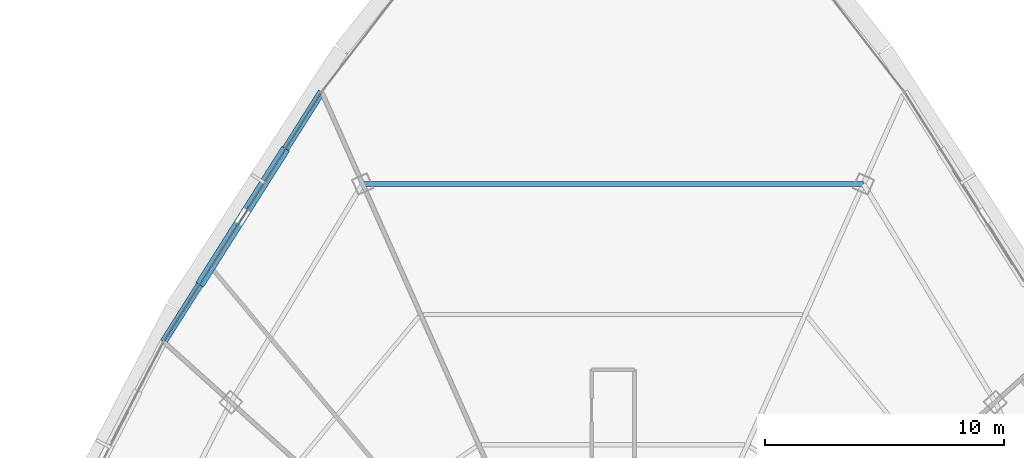
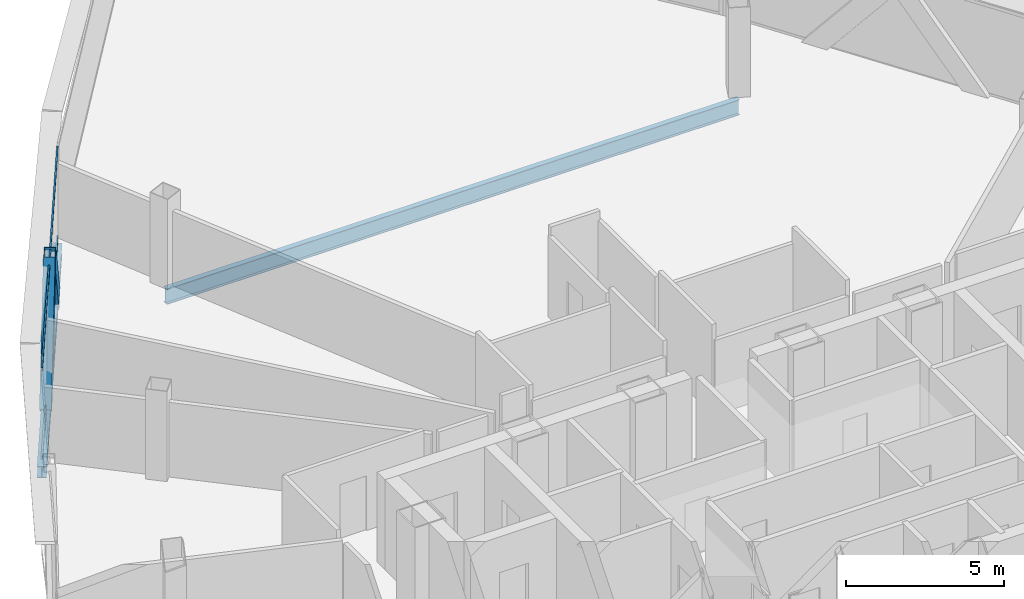
# One storey, part 19 of 33: 4 members, 2 beams, 1 element without a shape of its own.
"""IFC4 building model written with IfcOpenShell, lengths in metres."""

import ifcopenshell
import ifcopenshell.guid

model = None  # the IFC model being written
_history = None  # IfcOwnerHistory: only IFC2X3 demands one
_inside = {}  # id of a spatial element -> (the spatial element, [elements in it])
_under = {}  # id of a project, library or spatial element -> (it, [spatial elements below it])
_declared = {}  # id of a project -> (the project, [libraries it declares])
_typed = {}  # id of a type object -> (the type object, [elements of that type])
_made_of = {}  # id of a material, layer set ... -> (it, [elements and type objects made of it])


def new_model(schema):
    """Start an empty IFC model of exactly this schema.

    Asked for "IFC4X3", IfcOpenShell would pick the latest addendum, in which some entities
    have other attributes; the version numbers below select the first issue.
    IFC2X3 requires an IfcOwnerHistory on every rooted entity: one is made here for all.
    """
    global model, _history
    if schema == "IFC4X3":
        model = ifcopenshell.file(schema_version=(4, 3, 0, 0))
    else:
        model = ifcopenshell.file(schema=schema)
    _inside.clear()
    _under.clear()
    _declared.clear()
    _typed.clear()
    _made_of.clear()
    _history = None
    if model.schema == "IFC2X3":
        org = make("IfcOrganization", Name="unknown")
        user = make(
            "IfcPersonAndOrganization",
            ThePerson=make("IfcPerson", FamilyName="unknown"),
            TheOrganization=org,
        )
        app = make(
            "IfcApplication",
            ApplicationDeveloper=org,
            Version="unknown",
            ApplicationFullName="unknown",
            ApplicationIdentifier="unknown",
        )
        _history = make(
            "IfcOwnerHistory",
            OwningUser=user,
            OwningApplication=app,
            ChangeAction="ADDED",
            CreationDate=0,
        )
    return model


def make(cls, **values):
    """One entity of the class cls with the attributes given. An attribute that is None is left unset."""
    return model.create_entity(
        cls, **{name: value for name, value in values.items() if value is not None}
    )


def rooted(cls, **values):
    """An entity with a GlobalId (a new one), such as an element, a storey or a relation."""
    return make(cls, GlobalId=ifcopenshell.guid.new(), OwnerHistory=_history, **values)


def si_unit(unit_type, name, prefix=None):
    """IfcSIUnit, for example si_unit("LENGTHUNIT", "METRE", prefix="MILLI")."""
    return make("IfcSIUnit", UnitType=unit_type, Prefix=prefix, Name=name)


def assignment(units):
    """IfcUnitAssignment: the units of a project."""
    return None if units is None else make("IfcUnitAssignment", Units=units)


def point(xyz):
    """IfcCartesianPoint."""
    return None if xyz is None else make("IfcCartesianPoint", Coordinates=xyz)


def direction(xyz):
    """IfcDirection."""
    return None if xyz is None else make("IfcDirection", DirectionRatios=xyz)


def frame(location, z_axis=None, x_axis=None):
    """IfcAxis2Placement3D, a coordinate frame: its origin and axes. An axis left out is left unset."""
    return make(
        "IfcAxis2Placement3D",
        Location=point(location),
        Axis=direction(z_axis),
        RefDirection=direction(x_axis),
    )


def frame_2d(location, x_axis=None):
    """IfcAxis2Placement2D, a coordinate frame in the plane: its origin and x axis."""
    return make(
        "IfcAxis2Placement2D", Location=point(location), RefDirection=direction(x_axis)
    )


def origin():
    """The frame at (0, 0, 0) with its axes left unset."""
    return frame((0.0, 0.0, 0.0))


def origin_2d():
    """The frame at (0, 0) in the plane with its x axis left unset."""
    return frame_2d((0.0, 0.0))


def place(relative_to, where):
    """IfcLocalPlacement: puts the frame where relative to a parent placement (None: the world)."""
    return make(
        "IfcLocalPlacement", PlacementRelTo=relative_to, RelativePlacement=where
    )


def context(
    kind, dimensions, precision=None, world=None, true_north=None, identifier=None
):
    """IfcGeometricRepresentationContext, for example the 3D "Model" context."""
    return make(
        "IfcGeometricRepresentationContext",
        ContextIdentifier=identifier,
        ContextType=kind,
        CoordinateSpaceDimension=dimensions,
        Precision=precision,
        WorldCoordinateSystem=world,
        TrueNorth=true_north,
    )


def subcontext(parent, identifier, kind, view, scale=None):
    """IfcGeometricRepresentationSubContext, for example "Body" below "Model"."""
    return make(
        "IfcGeometricRepresentationSubContext",
        ContextIdentifier=identifier,
        ContextType=kind,
        ParentContext=parent,
        TargetScale=scale,
        TargetView=view,
    )


def project(units=None, contexts=None):
    """IfcProject with its units and contexts."""
    return rooted(
        "IfcProject",
        Name="project",
        RepresentationContexts=contexts,
        UnitsInContext=assignment(units),
    )


def spatial(cls, under=None, at=None, **own):
    """A site, building, storey or space (cls), placed at a placement, below another one or the project."""
    s = rooted(cls, ObjectPlacement=at, **own)
    if under is not None:
        _under.setdefault(under.id(), (under, []))[1].append(s)
    return s


def profile(cls, at=None, kind="AREA", **sizes):
    """A parametric profile (cls). Its sizes go by their IFC names, for example OverallWidth=200.0."""
    return make(cls, ProfileType=kind, Position=at, **sizes)


def hollow_rectangle(**sizes):
    """IfcRectangleHollowProfileDef."""
    return profile("IfcRectangleHollowProfileDef", **sizes)


def i_section(**sizes):
    """IfcIShapeProfileDef."""
    return profile("IfcIShapeProfileDef", **sizes)


def extrude(swept, where, along, depth):
    """IfcExtrudedAreaSolid: the profile swept, set in the frame where, extruded along a direction by depth."""
    return make(
        "IfcExtrudedAreaSolid",
        SweptArea=swept,
        Position=where,
        ExtrudedDirection=direction(along),
        Depth=depth,
    )


def shape(context_of_items, identifier, shape_type, items):
    """IfcShapeRepresentation: the items that make up one representation, for example the "Body"."""
    return make(
        "IfcShapeRepresentation",
        ContextOfItems=context_of_items,
        RepresentationIdentifier=identifier,
        RepresentationType=shape_type,
        Items=items,
    )


def source(mapping_origin, context_of_items, identifier, shape_type, items):
    """IfcRepresentationMap: a shape defined once, which mapped items show again and again."""
    return make(
        "IfcRepresentationMap",
        MappingOrigin=mapping_origin,
        MappedRepresentation=shape(context_of_items, identifier, shape_type, items),
    )


def transform(
    local_origin,
    x_axis=None,
    y_axis=None,
    z_axis=None,
    scale=None,
    scale2=None,
    scale3=None,
    uniform=True,
):
    """IfcCartesianTransformationOperator3D, or its non-uniform kind. x_axis, y_axis, z_axis: its Axis1, 2, 3."""
    if uniform:
        return make(
            "IfcCartesianTransformationOperator3D",
            Axis1=direction(x_axis),
            Axis2=direction(y_axis),
            LocalOrigin=point(local_origin),
            Scale=scale,
            Axis3=direction(z_axis),
        )
    return make(
        "IfcCartesianTransformationOperator3DnonUniform",
        Axis1=direction(x_axis),
        Axis2=direction(y_axis),
        LocalOrigin=point(local_origin),
        Scale=scale,
        Axis3=direction(z_axis),
        Scale2=scale2,
        Scale3=scale3,
    )


def mapped(mapping_source, mapping_target):
    """IfcMappedItem: shows the shape of a source again, moved by a transform."""
    return make(
        "IfcMappedItem", MappingSource=mapping_source, MappingTarget=mapping_target
    )


def material(Name=None, Category=None):
    """IfcMaterial."""
    return make("IfcMaterial", Name=Name, Category=Category)


def layer(
    of_material, thickness, ventilated=None, Name=None, Category=None, Priority=None
):
    """IfcMaterialLayer: one layer of a wall or slab, of a material (None: an air gap)."""
    return make(
        "IfcMaterialLayer",
        Material=of_material,
        LayerThickness=thickness,
        IsVentilated=ventilated,
        Name=Name,
        Category=Category,
        Priority=Priority,
    )


def layer_set(layers, Name=None):
    """IfcMaterialLayerSet."""
    return make("IfcMaterialLayerSet", MaterialLayers=layers, LayerSetName=Name)


def material_profile(
    of_material, cross_section, Name=None, Category=None, Priority=None
):
    """IfcMaterialProfile: a cross section and its material."""
    return make(
        "IfcMaterialProfile",
        Name=Name,
        Material=of_material,
        Profile=cross_section,
        Priority=Priority,
        Category=Category,
    )


def profile_set(profiles, Name=None, composite=None):
    """IfcMaterialProfileSet."""
    return make(
        "IfcMaterialProfileSet",
        Name=Name,
        MaterialProfiles=profiles,
        CompositeProfile=composite,
    )


def made_of(thing, what):
    """Note that an element or type object is made of a material, layer set ...; save() writes the relation."""
    if what is not None:
        _made_of.setdefault(what.id(), (what, []))[1].append(thing)
    return thing


def type_object(cls, material=None, **own):
    """A type object (cls), such as IfcWallType, which elements share."""
    return made_of(rooted(cls, **own), material)


def element(
    cls,
    number,
    at=None,
    inside=None,
    cuts=None,
    type_object=None,
    material=None,
    context=None,
    identifier="Body",
    shape_type=None,
    held_by="IfcProductDefinitionShape",
    body=None,
    shapes=None,
    **own,
):
    """One element of the class cls, such as IfcWall. Its Tag is "e" and its number.

    at: its placement. inside: the storey or other place that contains it. cuts: it is an
    opening in that element (IfcRelVoidsElement). A single representation is given by context,
    identifier, shape_type and body (its items); several are given by shapes. held_by: the class
    of the entity that holds the representations. save() writes the other relations.
    """
    e = rooted(cls, Tag="e%d" % number, ObjectPlacement=at, **own)
    if body is not None:
        shapes = [shape(context, identifier, shape_type, body)]
    if shapes is not None:
        e.Representation = make(held_by, Representations=shapes)
    if inside is not None:
        _inside.setdefault(inside.id(), (inside, []))[1].append(e)
    if cuts is not None:
        rooted(
            "IfcRelVoidsElement", RelatingBuildingElement=cuts, RelatedOpeningElement=e
        )
    if type_object is not None:
        _typed.setdefault(type_object.id(), (type_object, []))[1].append(e)
    return made_of(e, material)


def aggregate(whole, parts):
    """IfcRelAggregates: a whole, such as a stair, and the parts it consists of."""
    return rooted("IfcRelAggregates", RelatingObject=whole, RelatedObjects=parts)


def save(model, path):
    """Write the relations noted so far, then the file.

    IfcRelAggregates (storeys below a building ...), IfcRelContainedInSpatialStructure (elements
    in a storey), IfcRelDefinesByType, IfcRelAssociatesMaterial and IfcRelDeclares: one each for
    every whole, place, type object, material and project.
    """
    for whole, parts in _under.values():
        aggregate(whole, parts)
    for where, things in _inside.values():
        rooted(
            "IfcRelContainedInSpatialStructure",
            RelatedElements=things,
            RelatingStructure=where,
        )
    for kind, things in _typed.values():
        rooted("IfcRelDefinesByType", RelatedObjects=things, RelatingType=kind)
    for what, things in _made_of.values():
        rooted("IfcRelAssociatesMaterial", RelatedObjects=things, RelatingMaterial=what)
    for by, libraries in _declared.values():
        rooted("IfcRelDeclares", RelatingContext=by, RelatedDefinitions=libraries)
    model.write(path)


model = new_model("IFC4")

# Units and contexts
model_context = context("Model", 3, precision=1e-05, world=origin(), true_north=direction((0.0, 1.0)))
body_context = subcontext(model_context, "Body", "Model", "MODEL_VIEW")
ifc_project = project(units=[si_unit("LENGTHUNIT", "METRE"), si_unit("AREAUNIT", "SQUARE_METRE"), si_unit("VOLUMEUNIT", "CUBIC_METRE"), si_unit("PLANEANGLEUNIT", "RADIAN"), si_unit("MASSUNIT", "GRAM", prefix="KILO"), si_unit("THERMODYNAMICTEMPERATUREUNIT", "KELVIN"), si_unit("POWERUNIT", "WATT")], contexts=[model_context])

# Site, building, storey
site_placement = place(None, origin())
site = spatial("IfcSite", under=ifc_project, at=site_placement, CompositionType="ELEMENT")
building_placement = place(site_placement, origin())
building = spatial("IfcBuilding", under=site, at=building_placement, Name="Yunzhuo Pagoda Commons", CompositionType="ELEMENT")
storey_placement = place(building_placement, frame((0.0, 0.0, 325.510009765625)))
storey = spatial("IfcBuildingStorey", under=building, at=storey_placement, Name="L81", CompositionType="ELEMENT", Elevation=325.510009765625)

# Beams
ifc_material_1 = material(Name="Structural steel Q355B", Category="steel")
ifc_material_profile_1 = material_profile(ifc_material_1, i_section(OverallWidth=0.300048828125, OverallDepth=0.43994140625, WebThickness=0.010986328125, FlangeThickness=0.01806640625, at=origin_2d()), Name="Structural steel Q355B")
ifc_profile_set_1 = profile_set([ifc_material_profile_1], Name="Structural steel Q355B")
beam_type_1 = type_object("IfcBeamType", Name="B-SP2 Beam HM 440x300x11x18", PredefinedType="BEAM", material=ifc_profile_set_1)
shared_shape_1 = source(origin(), body_context, "Body", "SweptSolid", [
    extrude(i_section(OverallWidth=0.300048828125, OverallDepth=0.43994140625, WebThickness=0.010986328125, FlangeThickness=0.01806640625, at=origin_2d()), origin(), (0.0, 0.0, 1.0), 12.39501953125),
])
beam_1_placement = place(storey_placement, frame((35.78173828125, 61.142578125, -0.47998046875), z_axis=(-0.534530897575, -0.845148933347, 0.0), x_axis=(0.845148933347, -0.534530897575, 0.0)))
element("IfcBeam", 1, at=beam_1_placement, inside=storey, type_object=beam_type_1, Name="L81 facade edge spandrel beam F3.1", PredefinedType="BEAM", context=body_context, shape_type="MappedRepresentation", body=[
    mapped(shared_shape_1, transform((0.0, 0.0, 0.0), scale=1.0)),
])
ifc_material_profile_2 = material_profile(ifc_material_1, i_section(OverallWidth=0.199951171875, OverallDepth=0.60009765625, WebThickness=0.010986328125, FlangeThickness=0.01708984375, at=origin_2d()), Name="Structural steel Q355B")
ifc_profile_set_2 = profile_set([ifc_material_profile_2], Name="Structural steel Q355B")
beam_type_2 = type_object("IfcBeamType", Name="B-RG3 Beam HN 600x200x11x17", PredefinedType="BEAM", material=ifc_profile_set_2)
shared_shape_2 = source(origin(), body_context, "Body", "SweptSolid", [
    extrude(i_section(OverallWidth=0.199951171875, OverallDepth=0.60009765625, WebThickness=0.010986328125, FlangeThickness=0.01708984375, at=origin_2d()), origin(), (0.0, 0.0, 1.0), 20.99755859375),
])
beam_2_placement = place(storey_placement, frame((58.498779296875, 57.281005859375, -0.56005859375), z_axis=(-1.0, 0.0, 0.0), x_axis=(0.0, -1.0, 0.0)))
element("IfcBeam", 2, at=beam_2_placement, inside=storey, type_object=beam_type_2, Name="L81 column-ring beam 8", PredefinedType="BEAM", context=body_context, shape_type="MappedRepresentation", body=[
    mapped(shared_shape_2, transform((0.0, 0.0, 0.0), scale=1.0)),
])

# Members
ifc_material_profile_3 = material_profile(ifc_material_1, hollow_rectangle(XDim=0.3798828125, YDim=0.719970703125, WallThickness=0.02001953125, at=origin_2d()), Name="Structural steel Q355B")
ifc_profile_set_3 = profile_set([ifc_material_profile_3], Name="Structural steel Q355B")
member_type_1 = type_object("IfcMemberType", Name="M-DL3 Brace BOX 720x380x20", PredefinedType="BRACE", material=ifc_profile_set_3)
shared_shape_3 = source(origin(), body_context, "Body", "SweptSolid", [
    extrude(hollow_rectangle(XDim=0.3798828125, YDim=0.719970703125, WallThickness=0.02001953125, at=origin_2d()), origin(), (0.0, 0.0, 1.0), 4.864501953125),
])
member_1_placement = place(storey_placement, frame((30.812744140625, 53.285888671875, -0.260009765625), z_axis=(0.340470287442, 0.538358604568, 0.77087612251), x_axis=(-0.845166729607, 0.534502758801, 0.0)))
element("IfcMember", 3, at=member_1_placement, inside=storey, type_object=member_type_1, Name="L81 facade diamond brace F3.1R", PredefinedType="BRACE", context=body_context, shape_type="MappedRepresentation", body=[
    mapped(shared_shape_3, transform((0.0, 0.0, 0.0), scale=1.0)),
])
shared_shape_4 = source(origin(), body_context, "Body", "SweptSolid", [
    extrude(hollow_rectangle(XDim=0.3798828125, YDim=0.719970703125, WallThickness=0.02001953125, at=origin_2d()), origin(), (0.0, 0.0, 1.0), 4.86474609375),
])
member_2_placement = place(storey_placement, frame((34.12548828125, 58.523681640625, -0.260009765625), z_axis=(-0.340514655846, -0.538349405049, 0.770862949711), x_axis=(0.845131136899, -0.534559034573, 0.0)))
element("IfcMember", 4, at=member_2_placement, inside=storey, type_object=member_type_1, Name="L81 facade diamond brace F3.1L", PredefinedType="BRACE", context=body_context, shape_type="MappedRepresentation", body=[
    mapped(shared_shape_4, transform((0.0, 0.0, 0.0), scale=1.0)),
])

# Curtain wall, members
ifc_material_2 = material(Name="Anodized aluminium 6063-T6", Category="aluminium")
ifc_layer = layer(ifc_material_2, 0.139892578125)
ifc_layer_set = layer_set([ifc_layer], Name="Anodized aluminium 6063-T6")
curtain_wall_type = type_object("IfcCurtainWallType", Name="CW-HI High-Zone Ribbon Curtain Wall", PredefinedType="NOTDEFINED", material=ifc_layer_set)
curtain_wall_placement = place(storey_placement, origin())
curtain_wall = element("IfcCurtainWall", 5, at=curtain_wall_placement, inside=storey, type_object=curtain_wall_type, Name="L81 curtain wall CW-L81-F3B2", PredefinedType="NOTDEFINED")
ifc_material_profile_4 = material_profile(ifc_material_2, hollow_rectangle(XDim=0.054931640625, YDim=0.1201171875, WallThickness=0.00341796875, at=origin_2d()), Name="Anodized aluminium 6063-T6")
ifc_profile_set_4 = profile_set([ifc_material_profile_4], Name="Anodized aluminium 6063-T6")
member_type_2 = type_object("IfcMemberType", Name="CW-HI-T Transom RHS 120x55x3.5", PredefinedType="USERDEFINED", material=ifc_profile_set_4)
shared_shape_5 = source(origin(), body_context, "Body", "SweptSolid", [
    extrude(hollow_rectangle(XDim=0.054931640625, YDim=0.1201171875, WallThickness=0.00341796875, at=origin_2d()), origin(), (0.0, 0.0, 1.0), 12.27490234375),
])
member_3_placement = place(storey_placement, frame((35.749755859375, 61.091796875, 0.027587890625), z_axis=(-0.53453242194, -0.845147969231, 0.0), x_axis=(0.845147969231, -0.53453242194, 0.0)))
member_3 = element("IfcMember", 6, at=member_3_placement, type_object=member_type_2, Name="CW transom 1.1", ObjectType="TRANSOM", PredefinedType="USERDEFINED", context=body_context, shape_type="MappedRepresentation", body=[
    mapped(shared_shape_5, transform((0.0, 0.0, 0.0), scale=1.0)),
])
member_4_placement = place(storey_placement, frame((35.749755859375, 61.091796875, 3.46240234375), z_axis=(-0.53453242194, -0.845147969231, 0.0), x_axis=(0.845147969231, -0.53453242194, 0.0)))
member_4 = element("IfcMember", 7, at=member_4_placement, type_object=member_type_2, Name="CW transom 1.2", ObjectType="TRANSOM", PredefinedType="USERDEFINED", context=body_context, shape_type="MappedRepresentation", body=[
    mapped(shared_shape_5, transform((0.0, 0.0, 0.0), scale=1.0)),
])
aggregate(curtain_wall, [member_3, member_4])

save(model, "model.ifc")
